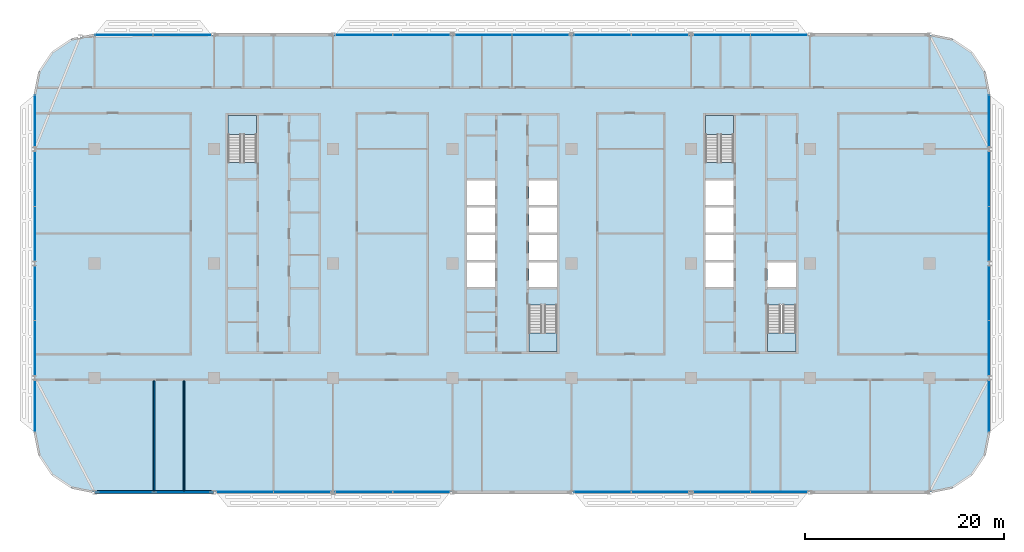
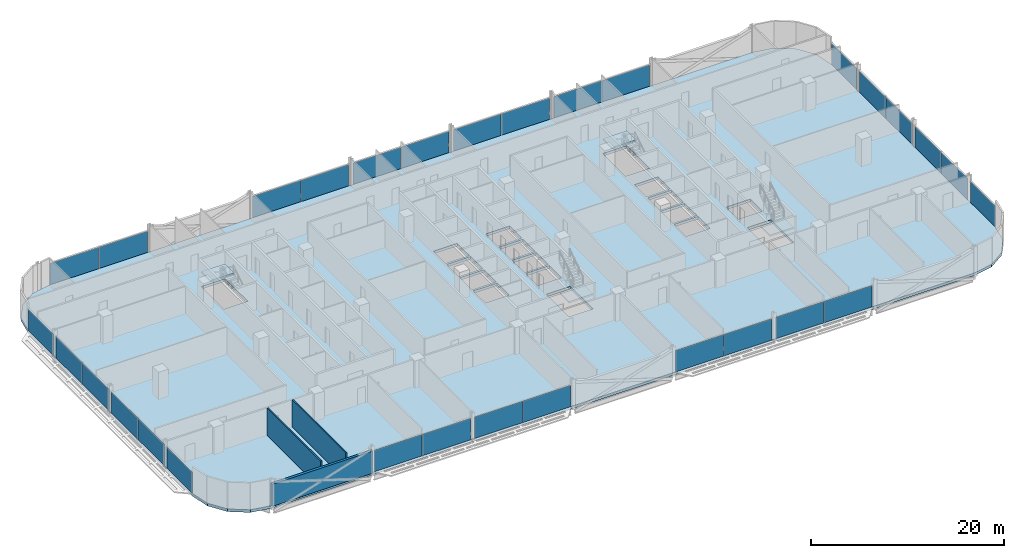
# One storey, part 10 of 27: 30 plates, 5 slabs, 3 walls, 21 elements without a shape of their own.
"""IFC4 building model written with IfcOpenShell, lengths in metres."""

from ifc_helpers import new_model, si_unit, direction, frame, frame_2d, origin, origin_2d, place, context, subcontext, project, spatial, polyline, rectangle, outline, extrude, material, layer, layer_set, type_object, element, aggregate, save


model = new_model("IFC4")

# Units and contexts
model_context = context("Model", 3, precision=1e-05, world=origin(), true_north=direction((0.0, 1.0)))
body_context = subcontext(model_context, "Body", "Model", "MODEL_VIEW")
ifc_project = project(units=[si_unit("LENGTHUNIT", "METRE"), si_unit("AREAUNIT", "SQUARE_METRE"), si_unit("VOLUMEUNIT", "CUBIC_METRE"), si_unit("PLANEANGLEUNIT", "RADIAN"), si_unit("MASSUNIT", "GRAM", prefix="KILO")], contexts=[model_context])

# Site, building, storey
site_placement = place(None, origin())
site = spatial("IfcSite", under=ifc_project, at=site_placement, CompositionType="ELEMENT")
building_placement = place(site_placement, origin())
building = spatial("IfcBuilding", under=site, at=building_placement, Name="Mahtab Terrace Research Tower", CompositionType="ELEMENT")
storey_placement = place(building_placement, frame((0.0, 0.0, 163.0)))
storey = spatial("IfcBuildingStorey", under=building, at=storey_placement, Name="L38", CompositionType="ELEMENT", Elevation=163.0)

# Stair, slab
ifc_material_1 = material(Name="Exit stair half-turn")
stair_type = type_object("IfcStairType", Name="Exit stair half-turn", PredefinedType="HALF_TURN_STAIR", material=ifc_material_1)
stair_1_placement = place(storey_placement, origin())
stair_1 = element("IfcStair", 1, at=stair_1_placement, inside=storey, type_object=stair_type, Name="L38 Protected exit stair ST1", PredefinedType="HALF_TURN_STAIR")
ifc_material_2 = material(Name="Concrete C40/50", Category="concrete")
ifc_layer_1 = layer(ifc_material_2, 0.199951171875)
ifc_layer_set_1 = layer_set([ifc_layer_1], Name="Exit stair landing 200")
slab_type_1 = type_object("IfcSlabType", Name="Exit stair landing 200", PredefinedType="LANDING", material=ifc_layer_set_1)
slab_1_placement = place(storey_placement, frame((0.0, 0.0, 1.699951171875)))
slab_1 = element("IfcSlab", 2, at=slab_1_placement, type_object=slab_type_1, Name="ST1 landing 1", PredefinedType="LANDING", context=body_context, shape_type="SweptSolid", body=[
    extrude(outline(polyline([(-25.699951171875, 12.97509765625), (-25.699951171875, 14.875), (-28.550048828125, 14.875), (-28.550048828125, 12.97509765625), (-25.699951171875, 12.97509765625)])), origin(), (0.0, 0.0, 1.0), 0.199951171875),
])
aggregate(stair_1, [slab_1])

stair_2_placement = place(storey_placement, origin())
stair_2 = element("IfcStair", 3, at=stair_2_placement, inside=storey, type_object=stair_type, Name="L38 Protected exit stair ST2", PredefinedType="HALF_TURN_STAIR")
slab_2_placement = place(storey_placement, frame((0.0, 0.0, 1.699951171875)))
slab_2 = element("IfcSlab", 4, at=slab_2_placement, type_object=slab_type_1, Name="ST2 landing 1", PredefinedType="LANDING", context=body_context, shape_type="SweptSolid", body=[
    extrude(outline(polyline([(1.699951171875, -6.97509765625), (1.699951171875, -8.875), (4.550048828125, -8.875), (4.550048828125, -6.97509765625), (1.699951171875, -6.97509765625)])), origin(), (0.0, 0.0, 1.0), 0.199951171875),
])
aggregate(stair_2, [slab_2])

stair_3_placement = place(storey_placement, origin())
stair_3 = element("IfcStair", 5, at=stair_3_placement, inside=storey, type_object=stair_type, Name="L38 Protected exit stair ST3", PredefinedType="HALF_TURN_STAIR")
slab_3_placement = place(storey_placement, frame((0.0, 0.0, 1.699951171875)))
slab_3 = element("IfcSlab", 6, at=slab_3_placement, type_object=slab_type_1, Name="ST3 landing 1", PredefinedType="LANDING", context=body_context, shape_type="SweptSolid", body=[
    extrude(outline(polyline([(22.300048828125, 12.97509765625), (22.300048828125, 14.875), (19.449951171875, 14.875), (19.449951171875, 12.97509765625), (22.300048828125, 12.97509765625)])), origin(), (0.0, 0.0, 1.0), 0.199951171875),
])
aggregate(stair_3, [slab_3])

stair_4_placement = place(storey_placement, origin())
stair_4 = element("IfcStair", 7, at=stair_4_placement, inside=storey, type_object=stair_type, Name="L38 Protected exit stair ST4", PredefinedType="HALF_TURN_STAIR")
slab_4_placement = place(storey_placement, frame((0.0, 0.0, 1.699951171875)))
slab_4 = element("IfcSlab", 8, at=slab_4_placement, type_object=slab_type_1, Name="ST4 landing 1", PredefinedType="LANDING", context=body_context, shape_type="SweptSolid", body=[
    extrude(outline(polyline([(25.699951171875, -6.97509765625), (25.699951171875, -8.875), (28.550048828125, -8.875), (28.550048828125, -6.97509765625), (25.699951171875, -6.97509765625)])), origin(), (0.0, 0.0, 1.0), 0.199951171875),
])
aggregate(stair_4, [slab_4])

# Curtain wall, plates
ifc_material_3 = material(Name="Laboratory ribbon curtain wall")
curtain_wall_type = type_object("IfcCurtainWallType", Name="Laboratory ribbon curtain wall", PredefinedType="NOTDEFINED", material=ifc_material_3)
curtain_wall_1_placement = place(storey_placement, origin())
curtain_wall_1 = element("IfcCurtainWall", 9, at=curtain_wall_1_placement, inside=storey, type_object=curtain_wall_type, Name="EN.L38.3.4", PredefinedType="NOTDEFINED")
ifc_material_4 = material(Name="Dark glazing", Category="glass")
ifc_layer_2 = layer(ifc_material_4, 0.031982421875)
ifc_layer_set_2 = layer_set([ifc_layer_2], Name="Laboratory ribbon curtain wall glazing panel")
plate_type = type_object("IfcPlateType", Name="Laboratory ribbon curtain wall glazing panel", PredefinedType="CURTAIN_PANEL", material=ifc_layer_set_2)
plate_1_placement = place(storey_placement, frame((26.879638671875, 23.0, 0.0), z_axis=(0.0, 0.0, 1.0), x_axis=(-1.0, 0.0, 0.0)))
plate_1 = element("IfcPlate", 10, at=plate_1_placement, type_object=plate_type, Name="CWL-5 panel 1", PredefinedType="CURTAIN_PANEL", context=body_context, shape_type="SweptSolid", body=[
    extrude(rectangle(XDim=5.694580078125, YDim=0.031982421875, at=origin_2d()), origin(), (0.0, 0.0, 1.0), 2.681884765625),
])
plate_2_placement = place(storey_placement, frame((21.120361328125, 23.0, 0.0), z_axis=(0.0, 0.0, 1.0), x_axis=(-1.0, 0.0, 0.0)))
plate_2 = element("IfcPlate", 11, at=plate_2_placement, type_object=plate_type, Name="CWL-5 panel 2", PredefinedType="CURTAIN_PANEL", context=body_context, shape_type="SweptSolid", body=[
    extrude(rectangle(XDim=5.694580078125, YDim=0.031982421875, at=origin_2d()), origin(), (0.0, 0.0, 1.0), 2.681884765625),
])
aggregate(curtain_wall_1, [plate_1, plate_2])

curtain_wall_2_placement = place(storey_placement, origin())
curtain_wall_2 = element("IfcCurtainWall", 12, at=curtain_wall_2_placement, inside=storey, type_object=curtain_wall_type, Name="EN.L38.3.5", PredefinedType="NOTDEFINED")
plate_3_placement = place(storey_placement, frame((14.879638671875, 23.0, 0.0), z_axis=(0.0, 0.0, 1.0), x_axis=(-1.0, 0.0, 0.0)))
plate_3 = element("IfcPlate", 13, at=plate_3_placement, type_object=plate_type, Name="CWL-5 panel 1", PredefinedType="CURTAIN_PANEL", context=body_context, shape_type="SweptSolid", body=[
    extrude(rectangle(XDim=5.694580078125, YDim=0.031982421875, at=origin_2d()), origin(), (0.0, 0.0, 1.0), 2.681884765625),
])
plate_4_placement = place(storey_placement, frame((9.120361328125, 23.0, 0.0), z_axis=(0.0, 0.0, 1.0), x_axis=(-1.0, 0.0, 0.0)))
plate_4 = element("IfcPlate", 14, at=plate_4_placement, type_object=plate_type, Name="CWL-5 panel 2", PredefinedType="CURTAIN_PANEL", context=body_context, shape_type="SweptSolid", body=[
    extrude(rectangle(XDim=5.694580078125, YDim=0.031982421875, at=origin_2d()), origin(), (0.0, 0.0, 1.0), 2.681884765625),
])
aggregate(curtain_wall_2, [plate_3, plate_4])

curtain_wall_3_placement = place(storey_placement, origin())
curtain_wall_3 = element("IfcCurtainWall", 15, at=curtain_wall_3_placement, inside=storey, type_object=curtain_wall_type, Name="EN.L38.3.6", PredefinedType="NOTDEFINED")
plate_5_placement = place(storey_placement, frame((2.879638671875, 23.0, 0.0), z_axis=(0.0, 0.0, 1.0), x_axis=(-1.0, 0.0, 0.0)))
plate_5 = element("IfcPlate", 16, at=plate_5_placement, type_object=plate_type, Name="CWL-5 panel 1", PredefinedType="CURTAIN_PANEL", context=body_context, shape_type="SweptSolid", body=[
    extrude(rectangle(XDim=5.694580078125, YDim=0.031982421875, at=origin_2d()), origin(), (0.0, 0.0, 1.0), 2.681884765625),
])
plate_6_placement = place(storey_placement, frame((-2.879638671875, 23.0, 0.0), z_axis=(0.0, 0.0, 1.0), x_axis=(-1.0, 0.0, 0.0)))
plate_6 = element("IfcPlate", 17, at=plate_6_placement, type_object=plate_type, Name="CWL-5 panel 2", PredefinedType="CURTAIN_PANEL", context=body_context, shape_type="SweptSolid", body=[
    extrude(rectangle(XDim=5.694580078125, YDim=0.031982421875, at=origin_2d()), origin(), (0.0, 0.0, 1.0), 2.681884765625),
])
aggregate(curtain_wall_3, [plate_5, plate_6])

curtain_wall_4_placement = place(storey_placement, origin())
curtain_wall_4 = element("IfcCurtainWall", 18, at=curtain_wall_4_placement, inside=storey, type_object=curtain_wall_type, Name="EN.L38.3.7", PredefinedType="NOTDEFINED")
plate_7_placement = place(storey_placement, frame((-9.120361328125, 23.0, 0.0), z_axis=(0.0, 0.0, 1.0), x_axis=(-1.0, 0.0, 0.0)))
plate_7 = element("IfcPlate", 19, at=plate_7_placement, type_object=plate_type, Name="CWL-5 panel 1", PredefinedType="CURTAIN_PANEL", context=body_context, shape_type="SweptSolid", body=[
    extrude(rectangle(XDim=5.694580078125, YDim=0.031982421875, at=origin_2d()), origin(), (0.0, 0.0, 1.0), 2.681884765625),
])
plate_8_placement = place(storey_placement, frame((-14.879638671875, 23.0, 0.0), z_axis=(0.0, 0.0, 1.0), x_axis=(-1.0, 0.0, 0.0)))
plate_8 = element("IfcPlate", 20, at=plate_8_placement, type_object=plate_type, Name="CWL-5 panel 2", PredefinedType="CURTAIN_PANEL", context=body_context, shape_type="SweptSolid", body=[
    extrude(rectangle(XDim=5.694580078125, YDim=0.031982421875, at=origin_2d()), origin(), (0.0, 0.0, 1.0), 2.681884765625),
])
aggregate(curtain_wall_4, [plate_7, plate_8])

curtain_wall_5_placement = place(storey_placement, origin())
curtain_wall_5 = element("IfcCurtainWall", 21, at=curtain_wall_5_placement, inside=storey, type_object=curtain_wall_type, Name="EN.L38.3.9", PredefinedType="NOTDEFINED")
plate_9_placement = place(storey_placement, frame((-33.17236328125, 23.0, 0.0), z_axis=(0.0, 0.0, 1.0), x_axis=(-1.0, 0.0, 0.0)))
plate_9 = element("IfcPlate", 22, at=plate_9_placement, type_object=plate_type, Name="CWL-5 panel 1", PredefinedType="CURTAIN_PANEL", context=body_context, shape_type="SweptSolid", body=[
    extrude(rectangle(XDim=5.798583984375, YDim=0.031982421875, at=origin_2d()), origin(), (0.0, 0.0, 1.0), 2.681884765625),
])
plate_10_placement = place(storey_placement, frame((-39.03564453125, 23.0, 0.0), z_axis=(0.0, 0.0, 1.0), x_axis=(-1.0, 0.0, 0.0)))
plate_10 = element("IfcPlate", 23, at=plate_10_placement, type_object=plate_type, Name="CWL-5 panel 2", PredefinedType="CURTAIN_PANEL", context=body_context, shape_type="SweptSolid", body=[
    extrude(rectangle(XDim=5.798583984375, YDim=0.031982421875, at=origin_2d()), origin(), (0.0, 0.0, 1.0), 2.681884765625),
])
aggregate(curtain_wall_5, [plate_9, plate_10])

# Curtain wall, plate
curtain_wall_6_placement = place(storey_placement, origin())
curtain_wall_6 = element("IfcCurtainWall", 24, at=curtain_wall_6_placement, inside=storey, type_object=curtain_wall_type, Name="EN.L38.8.15", PredefinedType="NOTDEFINED")
plate_11_placement = place(storey_placement, frame((-48.0, 14.35400390625, 0.0), z_axis=(0.0, 0.0, 1.0), x_axis=(0.0, -1.0, 0.0)))
plate_11 = element("IfcPlate", 25, at=plate_11_placement, type_object=plate_type, Name="CWL-5 panel 1", PredefinedType="CURTAIN_PANEL", context=body_context, shape_type="SweptSolid", body=[
    extrude(rectangle(XDim=5.162109375, YDim=0.031982421875, at=origin_2d()), origin(), (0.0, 0.0, 1.0), 2.681884765625),
])
aggregate(curtain_wall_6, [plate_11])

# Curtain wall, plates
curtain_wall_7_placement = place(storey_placement, origin())
curtain_wall_7 = element("IfcCurtainWall", 26, at=curtain_wall_7_placement, inside=storey, type_object=curtain_wall_type, Name="EN.L38.8.16", PredefinedType="NOTDEFINED")
plate_12_placement = place(storey_placement, frame((-48.0, 8.504638671875, 0.0), z_axis=(0.0, 0.0, 1.0), x_axis=(0.0, -1.0, 0.0)))
plate_12 = element("IfcPlate", 27, at=plate_12_placement, type_object=plate_type, Name="CWL-5 panel 1", PredefinedType="CURTAIN_PANEL", context=body_context, shape_type="SweptSolid", body=[
    extrude(rectangle(XDim=5.444580078125, YDim=0.031982421875, at=origin_2d()), origin(), (0.0, 0.0, 1.0), 2.681884765625),
])
plate_13_placement = place(storey_placement, frame((-48.0, 2.995361328125, 0.0), z_axis=(0.0, 0.0, 1.0), x_axis=(0.0, -1.0, 0.0)))
plate_13 = element("IfcPlate", 28, at=plate_13_placement, type_object=plate_type, Name="CWL-5 panel 2", PredefinedType="CURTAIN_PANEL", context=body_context, shape_type="SweptSolid", body=[
    extrude(rectangle(XDim=5.444580078125, YDim=0.031982421875, at=origin_2d()), origin(), (0.0, 0.0, 1.0), 2.681884765625),
])
aggregate(curtain_wall_7, [plate_12, plate_13])

curtain_wall_8_placement = place(storey_placement, origin())
curtain_wall_8 = element("IfcCurtainWall", 29, at=curtain_wall_8_placement, inside=storey, type_object=curtain_wall_type, Name="EN.L38.8.17", PredefinedType="NOTDEFINED")
plate_14_placement = place(storey_placement, frame((-48.0, -2.995361328125, 0.0), z_axis=(0.0, 0.0, 1.0), x_axis=(0.0, -1.0, 0.0)))
plate_14 = element("IfcPlate", 30, at=plate_14_placement, type_object=plate_type, Name="CWL-5 panel 1", PredefinedType="CURTAIN_PANEL", context=body_context, shape_type="SweptSolid", body=[
    extrude(rectangle(XDim=5.444580078125, YDim=0.031982421875, at=origin_2d()), origin(), (0.0, 0.0, 1.0), 2.681884765625),
])
plate_15_placement = place(storey_placement, frame((-48.0, -8.504638671875, 0.0), z_axis=(0.0, 0.0, 1.0), x_axis=(0.0, -1.0, 0.0)))
plate_15 = element("IfcPlate", 31, at=plate_15_placement, type_object=plate_type, Name="CWL-5 panel 2", PredefinedType="CURTAIN_PANEL", context=body_context, shape_type="SweptSolid", body=[
    extrude(rectangle(XDim=5.444580078125, YDim=0.031982421875, at=origin_2d()), origin(), (0.0, 0.0, 1.0), 2.681884765625),
])
aggregate(curtain_wall_8, [plate_14, plate_15])

# Curtain wall, plate
curtain_wall_9_placement = place(storey_placement, origin())
curtain_wall_9 = element("IfcCurtainWall", 32, at=curtain_wall_9_placement, inside=storey, type_object=curtain_wall_type, Name="EN.L38.8.18", PredefinedType="NOTDEFINED")
plate_16_placement = place(storey_placement, frame((-48.0, -14.35400390625, 0.0), z_axis=(0.0, 0.0, 1.0), x_axis=(0.0, -1.0, 0.0)))
plate_16 = element("IfcPlate", 33, at=plate_16_placement, type_object=plate_type, Name="CWL-5 panel 1", PredefinedType="CURTAIN_PANEL", context=body_context, shape_type="SweptSolid", body=[
    extrude(rectangle(XDim=5.162109375, YDim=0.031982421875, at=origin_2d()), origin(), (0.0, 0.0, 1.0), 2.681884765625),
])
aggregate(curtain_wall_9, [plate_16])

# Curtain wall, plates
curtain_wall_10_placement = place(storey_placement, origin())
curtain_wall_10 = element("IfcCurtainWall", 34, at=curtain_wall_10_placement, inside=storey, type_object=curtain_wall_type, Name="EN.L38.13.24", PredefinedType="NOTDEFINED")
plate_17_placement = place(storey_placement, frame((-26.879638671875, -23.0, 0.0), z_axis=(0.0, 0.0, 1.0), x_axis=(1.0, 0.0, 0.0)))
plate_17 = element("IfcPlate", 35, at=plate_17_placement, type_object=plate_type, Name="CWL-5 panel 1", PredefinedType="CURTAIN_PANEL", context=body_context, shape_type="SweptSolid", body=[
    extrude(rectangle(XDim=5.694580078125, YDim=0.031982421875, at=origin_2d()), origin(), (0.0, 0.0, 1.0), 2.681884765625),
])
plate_18_placement = place(storey_placement, frame((-21.120361328125, -23.0, 0.0), z_axis=(0.0, 0.0, 1.0), x_axis=(1.0, 0.0, 0.0)))
plate_18 = element("IfcPlate", 36, at=plate_18_placement, type_object=plate_type, Name="CWL-5 panel 2", PredefinedType="CURTAIN_PANEL", context=body_context, shape_type="SweptSolid", body=[
    extrude(rectangle(XDim=5.694580078125, YDim=0.031982421875, at=origin_2d()), origin(), (0.0, 0.0, 1.0), 2.681884765625),
])
aggregate(curtain_wall_10, [plate_17, plate_18])

curtain_wall_11_placement = place(storey_placement, origin())
curtain_wall_11 = element("IfcCurtainWall", 37, at=curtain_wall_11_placement, inside=storey, type_object=curtain_wall_type, Name="EN.L38.13.25", PredefinedType="NOTDEFINED")
plate_19_placement = place(storey_placement, frame((-14.879638671875, -23.0, 0.0), z_axis=(0.0, 0.0, 1.0), x_axis=(1.0, 0.0, 0.0)))
plate_19 = element("IfcPlate", 38, at=plate_19_placement, type_object=plate_type, Name="CWL-5 panel 1", PredefinedType="CURTAIN_PANEL", context=body_context, shape_type="SweptSolid", body=[
    extrude(rectangle(XDim=5.694580078125, YDim=0.031982421875, at=origin_2d()), origin(), (0.0, 0.0, 1.0), 2.681884765625),
])
plate_20_placement = place(storey_placement, frame((-9.120361328125, -23.0, 0.0), z_axis=(0.0, 0.0, 1.0), x_axis=(1.0, 0.0, 0.0)))
plate_20 = element("IfcPlate", 39, at=plate_20_placement, type_object=plate_type, Name="CWL-5 panel 2", PredefinedType="CURTAIN_PANEL", context=body_context, shape_type="SweptSolid", body=[
    extrude(rectangle(XDim=5.694580078125, YDim=0.031982421875, at=origin_2d()), origin(), (0.0, 0.0, 1.0), 2.681884765625),
])
aggregate(curtain_wall_11, [plate_19, plate_20])

curtain_wall_12_placement = place(storey_placement, origin())
curtain_wall_12 = element("IfcCurtainWall", 40, at=curtain_wall_12_placement, inside=storey, type_object=curtain_wall_type, Name="EN.L38.13.27", PredefinedType="NOTDEFINED")
plate_21_placement = place(storey_placement, frame((9.120361328125, -23.0, 0.0), z_axis=(0.0, 0.0, 1.0), x_axis=(1.0, 0.0, 0.0)))
plate_21 = element("IfcPlate", 41, at=plate_21_placement, type_object=plate_type, Name="CWL-5 panel 1", PredefinedType="CURTAIN_PANEL", context=body_context, shape_type="SweptSolid", body=[
    extrude(rectangle(XDim=5.694580078125, YDim=0.031982421875, at=origin_2d()), origin(), (0.0, 0.0, 1.0), 2.681884765625),
])
plate_22_placement = place(storey_placement, frame((14.879638671875, -23.0, 0.0), z_axis=(0.0, 0.0, 1.0), x_axis=(1.0, 0.0, 0.0)))
plate_22 = element("IfcPlate", 42, at=plate_22_placement, type_object=plate_type, Name="CWL-5 panel 2", PredefinedType="CURTAIN_PANEL", context=body_context, shape_type="SweptSolid", body=[
    extrude(rectangle(XDim=5.694580078125, YDim=0.031982421875, at=origin_2d()), origin(), (0.0, 0.0, 1.0), 2.681884765625),
])
aggregate(curtain_wall_12, [plate_21, plate_22])

curtain_wall_13_placement = place(storey_placement, origin())
curtain_wall_13 = element("IfcCurtainWall", 43, at=curtain_wall_13_placement, inside=storey, type_object=curtain_wall_type, Name="EN.L38.13.28", PredefinedType="NOTDEFINED")
plate_23_placement = place(storey_placement, frame((21.120361328125, -23.0, 0.0), z_axis=(0.0, 0.0, 1.0), x_axis=(1.0, 0.0, 0.0)))
plate_23 = element("IfcPlate", 44, at=plate_23_placement, type_object=plate_type, Name="CWL-5 panel 1", PredefinedType="CURTAIN_PANEL", context=body_context, shape_type="SweptSolid", body=[
    extrude(rectangle(XDim=5.694580078125, YDim=0.031982421875, at=origin_2d()), origin(), (0.0, 0.0, 1.0), 2.681884765625),
])
plate_24_placement = place(storey_placement, frame((26.879638671875, -23.0, 0.0), z_axis=(0.0, 0.0, 1.0), x_axis=(1.0, 0.0, 0.0)))
plate_24 = element("IfcPlate", 45, at=plate_24_placement, type_object=plate_type, Name="CWL-5 panel 2", PredefinedType="CURTAIN_PANEL", context=body_context, shape_type="SweptSolid", body=[
    extrude(rectangle(XDim=5.694580078125, YDim=0.031982421875, at=origin_2d()), origin(), (0.0, 0.0, 1.0), 2.681884765625),
])
aggregate(curtain_wall_13, [plate_23, plate_24])

# Curtain wall, plate
curtain_wall_14_placement = place(storey_placement, origin())
curtain_wall_14 = element("IfcCurtainWall", 46, at=curtain_wall_14_placement, inside=storey, type_object=curtain_wall_type, Name="EN.L38.18.34", PredefinedType="NOTDEFINED")
plate_25_placement = place(storey_placement, frame((48.0, -14.35400390625, 0.0), z_axis=(0.0, 0.0, 1.0), x_axis=(0.0, 1.0, 0.0)))
plate_25 = element("IfcPlate", 47, at=plate_25_placement, type_object=plate_type, Name="CWL-5 panel 1", PredefinedType="CURTAIN_PANEL", context=body_context, shape_type="SweptSolid", body=[
    extrude(rectangle(XDim=5.162109375, YDim=0.031982421875, at=origin_2d()), origin(), (0.0, 0.0, 1.0), 2.681884765625),
])
aggregate(curtain_wall_14, [plate_25])

# Curtain wall, plates
curtain_wall_15_placement = place(storey_placement, origin())
curtain_wall_15 = element("IfcCurtainWall", 48, at=curtain_wall_15_placement, inside=storey, type_object=curtain_wall_type, Name="EN.L38.18.35", PredefinedType="NOTDEFINED")
plate_26_placement = place(storey_placement, frame((48.0, -8.504638671875, 0.0), z_axis=(0.0, 0.0, 1.0), x_axis=(0.0, 1.0, 0.0)))
plate_26 = element("IfcPlate", 49, at=plate_26_placement, type_object=plate_type, Name="CWL-5 panel 1", PredefinedType="CURTAIN_PANEL", context=body_context, shape_type="SweptSolid", body=[
    extrude(rectangle(XDim=5.444580078125, YDim=0.031982421875, at=origin_2d()), origin(), (0.0, 0.0, 1.0), 2.681884765625),
])
plate_27_placement = place(storey_placement, frame((48.0, -2.995361328125, 0.0), z_axis=(0.0, 0.0, 1.0), x_axis=(0.0, 1.0, 0.0)))
plate_27 = element("IfcPlate", 50, at=plate_27_placement, type_object=plate_type, Name="CWL-5 panel 2", PredefinedType="CURTAIN_PANEL", context=body_context, shape_type="SweptSolid", body=[
    extrude(rectangle(XDim=5.444580078125, YDim=0.031982421875, at=origin_2d()), origin(), (0.0, 0.0, 1.0), 2.681884765625),
])
aggregate(curtain_wall_15, [plate_26, plate_27])

curtain_wall_16_placement = place(storey_placement, origin())
curtain_wall_16 = element("IfcCurtainWall", 51, at=curtain_wall_16_placement, inside=storey, type_object=curtain_wall_type, Name="EN.L38.18.36", PredefinedType="NOTDEFINED")
plate_28_placement = place(storey_placement, frame((48.0, 2.995361328125, 0.0), z_axis=(0.0, 0.0, 1.0), x_axis=(0.0, 1.0, 0.0)))
plate_28 = element("IfcPlate", 52, at=plate_28_placement, type_object=plate_type, Name="CWL-5 panel 1", PredefinedType="CURTAIN_PANEL", context=body_context, shape_type="SweptSolid", body=[
    extrude(rectangle(XDim=5.444580078125, YDim=0.031982421875, at=origin_2d()), origin(), (0.0, 0.0, 1.0), 2.681884765625),
])
plate_29_placement = place(storey_placement, frame((48.0, 8.504638671875, 0.0), z_axis=(0.0, 0.0, 1.0), x_axis=(0.0, 1.0, 0.0)))
plate_29 = element("IfcPlate", 53, at=plate_29_placement, type_object=plate_type, Name="CWL-5 panel 2", PredefinedType="CURTAIN_PANEL", context=body_context, shape_type="SweptSolid", body=[
    extrude(rectangle(XDim=5.444580078125, YDim=0.031982421875, at=origin_2d()), origin(), (0.0, 0.0, 1.0), 2.681884765625),
])
aggregate(curtain_wall_16, [plate_28, plate_29])

# Curtain wall, plate
curtain_wall_17_placement = place(storey_placement, origin())
curtain_wall_17 = element("IfcCurtainWall", 54, at=curtain_wall_17_placement, inside=storey, type_object=curtain_wall_type, Name="EN.L38.18.37", PredefinedType="NOTDEFINED")
plate_30_placement = place(storey_placement, frame((48.0, 14.35400390625, 0.0), z_axis=(0.0, 0.0, 1.0), x_axis=(0.0, 1.0, 0.0)))
plate_30 = element("IfcPlate", 55, at=plate_30_placement, type_object=plate_type, Name="CWL-5 panel 1", PredefinedType="CURTAIN_PANEL", context=body_context, shape_type="SweptSolid", body=[
    extrude(rectangle(XDim=5.162109375, YDim=0.031982421875, at=origin_2d()), origin(), (0.0, 0.0, 1.0), 2.681884765625),
])
aggregate(curtain_wall_17, [plate_30])

# Slab
ifc_layer_3 = layer(ifc_material_2, 0.340087890625)
ifc_layer_set_3 = layer_set([ifc_layer_3], Name="PT flat slab 340")
slab_type_2 = type_object("IfcSlabType", Name="PT flat slab 340", PredefinedType="FLOOR", material=ifc_layer_set_3)
slab_5_placement = place(storey_placement, frame((0.0, 0.0, -0.340087890625)))
element("IfcSlab", 56, at=slab_5_placement, inside=storey, type_object=slab_type_2, Name="Floor slab L38", PredefinedType="FLOOR", context=body_context, shape_type="SweptSolid", body=[
    extrude(outline(polyline([(47.54296875, 19.2958984375), (46.242919921875, 21.242919921875), (44.2958984375, 22.54296875), (42.0, 23.0), (-42.0, 23.0), (-44.2958984375, 22.54296875), (-46.242919921875, 21.242919921875), (-47.54296875, 19.2958984375), (-48.0, 17.0), (-48.0, -17.0), (-47.54296875, -19.2958984375), (-46.242919921875, -21.242919921875), (-44.2958984375, -22.54296875), (-42.0, -23.0), (42.0, -23.0), (44.2958984375, -22.54296875), (46.242919921875, -21.242919921875), (47.54296875, -19.2958984375), (48.0, -17.0), (48.0, 17.0), (47.54296875, 19.2958984375)]), holes=[polyline([(-4.550048828125, -2.375), (-4.550048828125, 0.125), (-1.699951171875, 0.125), (-1.699951171875, -2.375), (-4.550048828125, -2.375)]), polyline([(1.699951171875, -2.375), (1.699951171875, 0.125), (4.550048828125, 0.125), (4.550048828125, -2.375), (1.699951171875, -2.375)]), polyline([(-4.550048828125, 0.375), (-4.550048828125, 2.875), (-1.699951171875, 2.875), (-1.699951171875, 0.375), (-4.550048828125, 0.375)]), polyline([(1.699951171875, 0.375), (1.699951171875, 2.875), (4.550048828125, 2.875), (4.550048828125, 0.375), (1.699951171875, 0.375)]), polyline([(-4.550048828125, 3.125), (-4.550048828125, 5.625), (-1.699951171875, 5.625), (-1.699951171875, 3.125), (-4.550048828125, 3.125)]), polyline([(1.699951171875, 3.125), (1.699951171875, 5.625), (4.550048828125, 5.625), (4.550048828125, 3.125), (1.699951171875, 3.125)]), polyline([(-4.550048828125, 5.875), (-4.550048828125, 8.375), (-1.699951171875, 8.375), (-1.699951171875, 5.875), (-4.550048828125, 5.875)]), polyline([(1.699951171875, 5.875), (1.699951171875, 8.375), (4.550048828125, 8.375), (4.550048828125, 5.875), (1.699951171875, 5.875)]), polyline([(-28.550048828125, 10.177001953125), (-28.550048828125, 14.875), (-25.699951171875, 14.875), (-25.699951171875, 10.177001953125), (-28.550048828125, 10.177001953125)]), polyline([(1.699951171875, -8.875), (1.699951171875, -4.177001953125), (4.550048828125, -4.177001953125), (4.550048828125, -8.875), (1.699951171875, -8.875)]), polyline([(25.699951171875, -8.875), (25.699951171875, -4.177001953125), (28.550048828125, -4.177001953125), (28.550048828125, -8.875), (25.699951171875, -8.875)]), polyline([(19.449951171875, -2.375), (19.449951171875, 0.125), (22.300048828125, 0.125), (22.300048828125, -2.375), (19.449951171875, -2.375)]), polyline([(25.699951171875, -2.375), (25.699951171875, 0.125), (28.550048828125, 0.125), (28.550048828125, -2.375), (25.699951171875, -2.375)]), polyline([(19.449951171875, 0.375), (19.449951171875, 2.875), (22.300048828125, 2.875), (22.300048828125, 0.375), (19.449951171875, 0.375)]), polyline([(19.449951171875, 3.125), (19.449951171875, 5.625), (22.300048828125, 5.625), (22.300048828125, 3.125), (19.449951171875, 3.125)]), polyline([(19.449951171875, 8.375), (22.300048828125, 8.375), (22.300048828125, 5.875), (19.449951171875, 5.875), (19.449951171875, 8.375)]), polyline([(19.449951171875, 14.875), (22.300048828125, 14.875), (22.300048828125, 10.177001953125), (19.449951171875, 10.177001953125), (19.449951171875, 14.875)])]), origin(), (0.0, 0.0, 1.0), 0.340087890625),
])

# Walls
ifc_material_5 = material(Name="Black aluminium cladding panel", Category="aluminium")
ifc_layer_4 = layer(ifc_material_5, 0.300048828125)
ifc_layer_set_4 = layer_set([ifc_layer_4], Name="Opaque facade wall 300")
wall_type_1 = type_object("IfcWallType", Name="Opaque facade wall 300", PredefinedType="NOTDEFINED", material=ifc_layer_set_4)
wall_placement = place(storey_placement, frame((-41.985107421875, -23.0, 0.0), z_axis=(0.0, 0.0, 1.0), x_axis=(1.0, 0.0, 0.0)))
element("IfcWall", 57, at=wall_placement, inside=storey, type_object=wall_type_1, Name="Opaque facade wall L38 S23", PredefinedType="NOTDEFINED", context=body_context, shape_type="SweptSolid", body=[
    extrude(rectangle(XDim=11.97021484375, YDim=0.300048828125, at=frame_2d((5.985107421875, 0.0))), origin(), (0.0, 0.0, 1.0), 2.78173828125),
])
ifc_material_6 = material(Name="Gypsum board partition on steel studs", Category="steel")
ifc_layer_5 = layer(ifc_material_6, 0.14990234375)
ifc_layer_set_5 = layer_set([ifc_layer_5], Name="WALL PARTITION 150")
wall_type_2 = type_object("IfcWallType", Name="WALL PARTITION 150", PredefinedType="PARTITIONING", material=ifc_layer_set_5)
for number, where, z_axis, x_axis, name in (
    (58, (-36.0, -22.85009765625, 0.0), (0.0, 0.0, 1.0), (0.0, 1.0, 0.0), "L38-W030"),
    (59, (-33.0, -22.85009765625, 0.0), (0.0, 0.0, 1.0), (0.0, 1.0, 0.0), "L38-W031"),
):
    element("IfcWall", number, at=place(storey_placement, frame(where, z_axis=z_axis, x_axis=x_axis)), inside=storey, type_object=wall_type_2, Name=name, PredefinedType="PARTITIONING", context=body_context, shape_type="SweptSolid", body=[
        extrude(rectangle(XDim=11.050048828125, YDim=0.14990234375, at=frame_2d((5.52490234375, 0.0))), origin(), (0.0, 0.0, 1.0), 3.4599609375),
    ])

save(model, "model.ifc")
